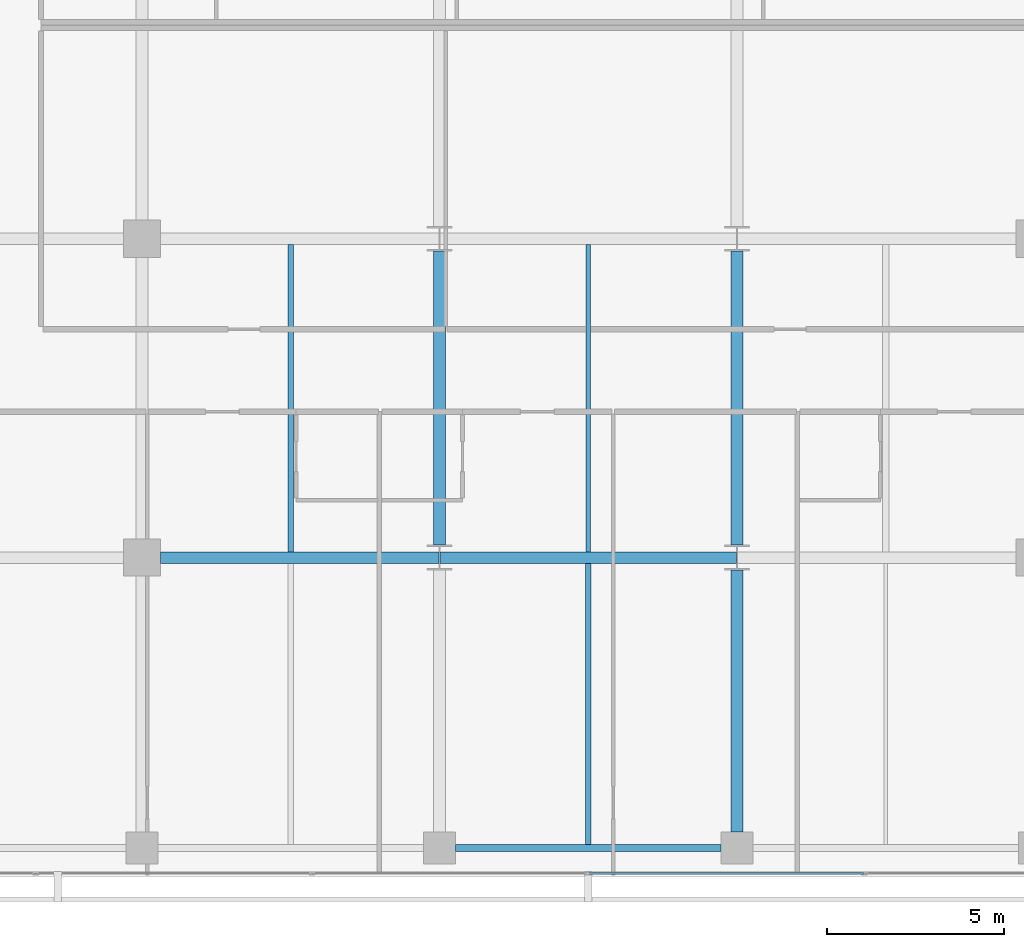
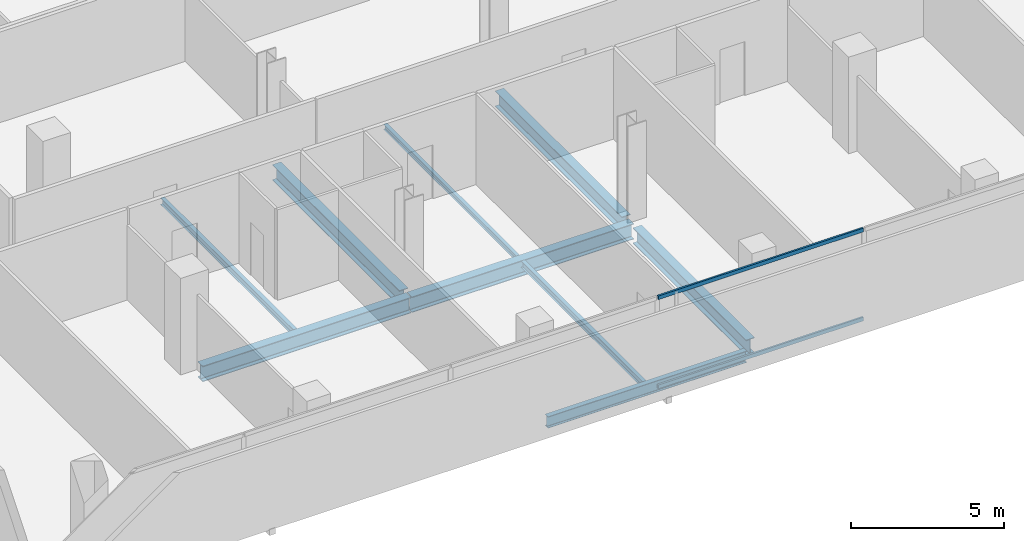
# One storey, part 9 of 39: 9 beams, 2 members, 1 element without a shape of its own.
"""IFC4 building model written with IfcOpenShell, lengths in metres."""

from ifc_helpers import new_model, si_unit, direction, frame, origin, origin_2d, place, context, subcontext, project, spatial, hollow_rectangle, i_section, extrude, material, layer, layer_set, material_profile, profile_set, type_object, element, aggregate, save


model = new_model("IFC4")

# Units and contexts
model_context = context("Model", 3, precision=1e-05, world=origin(), true_north=direction((0.0, 1.0)))
body_context = subcontext(model_context, "Body", "Model", "MODEL_VIEW")
ifc_project = project(units=[si_unit("LENGTHUNIT", "METRE"), si_unit("AREAUNIT", "SQUARE_METRE"), si_unit("VOLUMEUNIT", "CUBIC_METRE"), si_unit("PLANEANGLEUNIT", "RADIAN"), si_unit("MASSUNIT", "GRAM", prefix="KILO")], contexts=[model_context])

# Site, building, storey
site_placement = place(None, origin())
site = spatial("IfcSite", under=ifc_project, at=site_placement, CompositionType="ELEMENT")
building_placement = place(site_placement, origin())
building = spatial("IfcBuilding", under=site, at=building_placement, Name="Maruvema Waterfront Hotel and Observation Tower", CompositionType="ELEMENT")
storey_placement = place(building_placement, frame((0.0, 0.0, 65.449951171875)))
storey = spatial("IfcBuildingStorey", under=building, at=storey_placement, Name="L15", CompositionType="ELEMENT", Elevation=65.449951171875)

# Curtain wall, members
ifc_material_1 = material(Name="Anodised bronze aluminium and solar-control low-E IGU", Category="aluminium")
ifc_layer = layer(ifc_material_1, 0.159912109375, Name="Zone 1 Bronze Inner Thermal Curtain Wall System CW-02")
ifc_layer_set = layer_set([ifc_layer], Name="Anodised bronze aluminium and solar-control low-E IGU")
curtain_wall_type = type_object("IfcCurtainWallType", Name="Zone 1 Bronze Inner Thermal Curtain Wall System CW-02", PredefinedType="USERDEFINED", material=ifc_layer_set)
curtain_wall_placement = place(storey_placement, origin())
curtain_wall = element("IfcCurtainWall", 1, at=curtain_wall_placement, inside=storey, type_object=curtain_wall_type, Name="L15 Curtain Wall CW-L15-S", ObjectType="UNITISED CURTAIN WALL", PredefinedType="USERDEFINED")
ifc_material_2 = material(Name="Anodised architectural bronze aluminium", Category="aluminium")
ifc_material_profile_1 = material_profile(ifc_material_2, hollow_rectangle(XDim=0.070068359375, YDim=0.14990234375, WallThickness=0.00390625, at=origin_2d()), Name="ALU-T70x150")
ifc_profile_set_1 = profile_set([ifc_material_profile_1], Name="Anodised architectural bronze aluminium")
member_type = type_object("IfcMemberType", Name="Curtain Wall Horizontal Transom ALU-T70x150", PredefinedType="USERDEFINED", material=ifc_profile_set_1)
member_1_placement = place(storey_placement, frame((37.830078125, 0.080078125, 0.030029296875), z_axis=(1.0, 0.0, 0.0), x_axis=(0.0, 1.0, 0.0)))
member_1 = element("IfcMember", 2, at=member_1_placement, type_object=member_type, Name="CW-02 transom 4.1", ObjectType="TRANSOM", PredefinedType="USERDEFINED", context=body_context, shape_type="SweptSolid", body=[
    extrude(hollow_rectangle(XDim=0.070068359375, YDim=0.14990234375, WallThickness=0.00390625, at=origin_2d()), origin(), (0.0, 0.0, 1.0), 7.739990234375),
])
member_2_placement = place(storey_placement, frame((37.830078125, 0.080078125, 3.580078125), z_axis=(1.0, 0.0, 0.0), x_axis=(0.0, 1.0, 0.0)))
member_2 = element("IfcMember", 3, at=member_2_placement, type_object=member_type, Name="CW-02 transom 4.2", ObjectType="TRANSOM", PredefinedType="USERDEFINED", context=body_context, shape_type="SweptSolid", body=[
    extrude(hollow_rectangle(XDim=0.070068359375, YDim=0.14990234375, WallThickness=0.00390625, at=origin_2d()), origin(), (0.0, 0.0, 1.0), 7.739990234375),
])
aggregate(curtain_wall, [member_1, member_2])

# Beams
ifc_material_3 = material(Name="Steel ASTM A572 Grade 50", Category="steel")
ifc_material_profile_2 = material_profile(ifc_material_3, i_section(OverallWidth=0.18994140625, OverallDepth=0.45703125, WebThickness=0.009033203125, FlangeThickness=0.014404296875, FilletRadius=0.014892578125, at=origin_2d()), Name="W460x74.0")
ifc_profile_set_2 = profile_set([ifc_material_profile_2], Name="Steel ASTM A572 Grade 50")
beam_type_1 = type_object("IfcBeamType", Name="Perimeter Spandrel Beam W460x74.0", PredefinedType="SPANDREL", material=ifc_profile_set_2)
beam_1_placement = place(storey_placement, frame((34.050048828125, 0.800048828125, -0.468505859375), z_axis=(1.0, 0.0, 0.0), x_axis=(0.0, 1.0, 0.0)))
element("IfcBeam", 4, at=beam_1_placement, inside=storey, type_object=beam_type_1, Name="L15 Floor Girder EW-03", PredefinedType="SPANDREL", context=body_context, shape_type="SweptSolid", body=[
    extrude(i_section(OverallWidth=0.18994140625, OverallDepth=0.45703125, WebThickness=0.009033203125, FlangeThickness=0.014404296875, FilletRadius=0.014892578125, at=origin_2d()), origin(), (0.0, 0.0, 1.0), 7.5),
])
ifc_material_4 = material(Name="Steel ASTM A572 Grade 50", Category="steel")
ifc_material_profile_3 = material_profile(ifc_material_4, i_section(OverallWidth=0.326904296875, OverallDepth=0.6220703125, WebThickness=0.015380859375, FlangeThickness=0.0244140625, FilletRadius=0.01806640625, at=origin_2d()), Name="W610x195.0")
ifc_profile_set_3 = profile_set([ifc_material_profile_3], Name="Steel ASTM A572 Grade 50")
beam_type_2 = type_object("IfcBeamType", Name="Primary Floor Girder W610x195.0", PredefinedType="BEAM", material=ifc_profile_set_3)
beam_2_placement = place(storey_placement, frame((25.72509765625, 9.0, -0.551025390625), z_axis=(1.0, 0.0, 0.0), x_axis=(0.0, 1.0, 0.0)))
element("IfcBeam", 5, at=beam_2_placement, inside=storey, type_object=beam_type_2, Name="L15 Floor Girder EW-08", PredefinedType="BEAM", context=body_context, shape_type="SweptSolid", body=[
    extrude(i_section(OverallWidth=0.326904296875, OverallDepth=0.6220703125, WebThickness=0.015380859375, FlangeThickness=0.0244140625, FilletRadius=0.01806640625, at=origin_2d()), origin(), (0.0, 0.0, 1.0), 7.86083984375),
])
beam_3_placement = place(storey_placement, frame((33.614013671875, 9.0, -0.551025390625), z_axis=(1.0, 0.0, 0.0), x_axis=(0.0, 1.0, 0.0)))
element("IfcBeam", 6, at=beam_3_placement, inside=storey, type_object=beam_type_2, Name="L15 Floor Girder EW-09", PredefinedType="BEAM", context=body_context, shape_type="SweptSolid", body=[
    extrude(i_section(OverallWidth=0.326904296875, OverallDepth=0.6220703125, WebThickness=0.015380859375, FlangeThickness=0.0244140625, FilletRadius=0.01806640625, at=origin_2d()), origin(), (0.0, 0.0, 1.0), 8.3720703125),
])
beam_4_placement = place(storey_placement, frame((33.60009765625, 9.35009765625, -0.551025390625), z_axis=(0.0, 1.0, 0.0), x_axis=(-1.0, 0.0, 0.0)))
element("IfcBeam", 7, at=beam_4_placement, inside=storey, type_object=beam_type_2, Name="L15 Floor Girder NS-17", PredefinedType="BEAM", context=body_context, shape_type="SweptSolid", body=[
    extrude(i_section(OverallWidth=0.326904296875, OverallDepth=0.6220703125, WebThickness=0.015380859375, FlangeThickness=0.0244140625, FilletRadius=0.01806640625, at=origin_2d()), origin(), (0.0, 0.0, 1.0), 8.2998046875),
])
beam_5_placement = place(storey_placement, frame((42.0, 1.25, -0.551025390625), z_axis=(0.0, 1.0, 0.0), x_axis=(-1.0, 0.0, 0.0)))
element("IfcBeam", 8, at=beam_5_placement, inside=storey, type_object=beam_type_2, Name="L15 Floor Girder NS-19", PredefinedType="BEAM", context=body_context, shape_type="SweptSolid", body=[
    extrude(i_section(OverallWidth=0.326904296875, OverallDepth=0.6220703125, WebThickness=0.015380859375, FlangeThickness=0.0244140625, FilletRadius=0.01806640625, at=origin_2d()), origin(), (0.0, 0.0, 1.0), 7.39990234375),
])
beam_6_placement = place(storey_placement, frame((42.0, 9.35009765625, -0.551025390625), z_axis=(0.0, 1.0, 0.0), x_axis=(-1.0, 0.0, 0.0)))
element("IfcBeam", 9, at=beam_6_placement, inside=storey, type_object=beam_type_2, Name="L15 Floor Girder NS-20", PredefinedType="BEAM", context=body_context, shape_type="SweptSolid", body=[
    extrude(i_section(OverallWidth=0.326904296875, OverallDepth=0.6220703125, WebThickness=0.015380859375, FlangeThickness=0.0244140625, FilletRadius=0.01806640625, at=origin_2d()), origin(), (0.0, 0.0, 1.0), 8.2998046875),
])
ifc_material_5 = material(Name="Steel ASTM A572 Grade 50", Category="steel")
ifc_material_profile_4 = material_profile(ifc_material_5, i_section(OverallWidth=0.133056640625, OverallDepth=0.20703125, WebThickness=0.005859375, FlangeThickness=0.00830078125, FilletRadius=0.010009765625, at=origin_2d()), Name="W200x26.6")
ifc_profile_set_4 = profile_set([ifc_material_profile_4], Name="Steel ASTM A572 Grade 50")
beam_type_3 = type_object("IfcBeamType", Name="Secondary Floor Joist W200x26.6", PredefinedType="JOIST", material=ifc_profile_set_4)
beam_7_placement = place(storey_placement, frame((37.800048828125, 9.16357421875, -0.343505859375), z_axis=(0.0, 1.0, 0.0), x_axis=(-1.0, 0.0, 0.0)))
element("IfcBeam", 10, at=beam_7_placement, inside=storey, type_object=beam_type_3, Name="L15 Secondary Floor Joist JS-13", PredefinedType="JOIST", context=body_context, shape_type="SweptSolid", body=[
    extrude(i_section(OverallWidth=0.133056640625, OverallDepth=0.20703125, WebThickness=0.005859375, FlangeThickness=0.00830078125, FilletRadius=0.010009765625, at=origin_2d()), origin(), (0.0, 0.0, 1.0), 8.6728515625),
])
ifc_material_6 = material(Name="Steel ASTM A572 Grade 50", Category="steel")
ifc_material_profile_5 = material_profile(ifc_material_6, i_section(OverallWidth=0.14599609375, OverallDepth=0.258056640625, WebThickness=0.006103515625, FlangeThickness=0.009033203125, FilletRadius=0.012939453125, at=origin_2d()), Name="W250x32.7")
ifc_profile_set_5 = profile_set([ifc_material_profile_5], Name="Steel ASTM A572 Grade 50")
beam_type_4 = type_object("IfcBeamType", Name="Secondary Floor Joist W250x32.7", PredefinedType="JOIST", material=ifc_profile_set_5)
beam_8_placement = place(storey_placement, frame((37.800048828125, 0.89501953125, -0.368896484375), z_axis=(0.0, 1.0, 0.0), x_axis=(-1.0, 0.0, 0.0)))
element("IfcBeam", 11, at=beam_8_placement, inside=storey, type_object=beam_type_4, Name="L15 Secondary Floor Joist JS-12", PredefinedType="JOIST", context=body_context, shape_type="SweptSolid", body=[
    extrude(i_section(OverallWidth=0.14599609375, OverallDepth=0.258056640625, WebThickness=0.006103515625, FlangeThickness=0.009033203125, FilletRadius=0.012939453125, at=origin_2d()), origin(), (0.0, 0.0, 1.0), 7.94140625),
])
ifc_material_7 = material(Name="Steel ASTM A572 Grade 50", Category="steel")
ifc_material_profile_6 = material_profile(ifc_material_7, i_section(OverallWidth=0.14794921875, OverallDepth=0.26611328125, WebThickness=0.007568359375, FlangeThickness=0.012939453125, FilletRadius=0.012939453125, at=origin_2d()), Name="W250x44.8")
ifc_profile_set_6 = profile_set([ifc_material_profile_6], Name="Steel ASTM A572 Grade 50")
beam_type_5 = type_object("IfcBeamType", Name="Secondary Floor Joist W250x44.8", PredefinedType="JOIST", material=ifc_profile_set_6)
beam_9_placement = place(storey_placement, frame((29.39990234375, 9.16357421875, -0.373046875), z_axis=(0.0, 1.0, 0.0), x_axis=(-1.0, 0.0, 0.0)))
element("IfcBeam", 12, at=beam_9_placement, inside=storey, type_object=beam_type_5, Name="L15 Secondary Floor Joist JS-11", PredefinedType="JOIST", context=body_context, shape_type="SweptSolid", body=[
    extrude(i_section(OverallWidth=0.14794921875, OverallDepth=0.26611328125, WebThickness=0.007568359375, FlangeThickness=0.012939453125, FilletRadius=0.012939453125, at=origin_2d()), origin(), (0.0, 0.0, 1.0), 8.6728515625),
])

save(model, "model.ifc")
